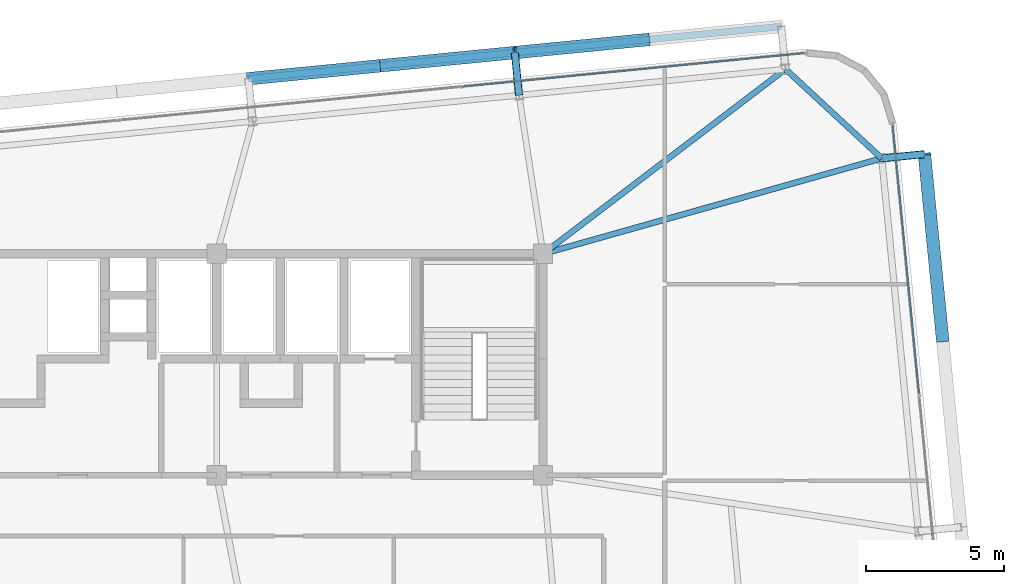
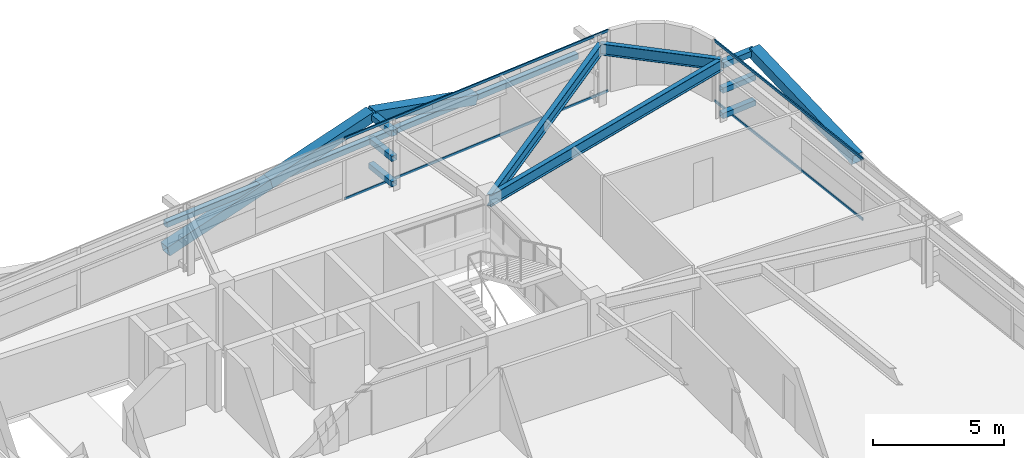
# One storey, part 30 of 47: 16 members, 3 beams, 2 elements without a shape of their own.
"""IFC4 building model written with IfcOpenShell, lengths in metres."""

from ifc_helpers import new_model, si_unit, direction, frame, origin, origin_2d, place, context, subcontext, project, spatial, hollow_rectangle, i_section, extrude, source, transform, mapped, material, layer, layer_set, material_profile, profile_set, type_object, element, aggregate, save


model = new_model("IFC4")

# Units and contexts
model_context = context("Model", 3, precision=1e-05, world=origin(), true_north=direction((0.0, 1.0)))
body_context = subcontext(model_context, "Body", "Model", "MODEL_VIEW")
ifc_project = project(units=[si_unit("LENGTHUNIT", "METRE"), si_unit("AREAUNIT", "SQUARE_METRE"), si_unit("VOLUMEUNIT", "CUBIC_METRE"), si_unit("PLANEANGLEUNIT", "RADIAN"), si_unit("MASSUNIT", "GRAM", prefix="KILO")], contexts=[model_context])

# Site, building, storey
site_placement = place(None, origin())
site = spatial("IfcSite", under=ifc_project, at=site_placement, CompositionType="ELEMENT")
building_placement = place(site_placement, origin())
building = spatial("IfcBuilding", under=site, at=building_placement, Name="Taldren Reach Tower", CompositionType="ELEMENT")
storey_placement = place(building_placement, frame((0.0, 0.0, 109.199951171875)))
storey = spatial("IfcBuildingStorey", under=building, at=storey_placement, Name="L33", CompositionType="ELEMENT", Elevation=109.199951171875)

# Beam
ifc_material_1 = material(Name="Steel Gr 350 (350PLUS)", Category="steel")
ifc_material_profile_1 = material_profile(ifc_material_1, i_section(OverallWidth=0.208984375, OverallDepth=0.528076171875, WebThickness=0.009521484375, FlangeThickness=0.01318359375, at=origin_2d()), Name="530UB82.0")
ifc_profile_set_1 = profile_set([ifc_material_profile_1], Name="Steel Gr 350 (350PLUS)")
beam_type_1 = type_object("IfcBeamType", Name="SP-UB530B", PredefinedType="SPANDREL", material=ifc_profile_set_1)
shared_shape_1 = source(origin(), body_context, "Body", "SweptSolid", [
    extrude(i_section(OverallWidth=0.208984375, OverallDepth=0.528076171875, WebThickness=0.009521484375, FlangeThickness=0.01318359375, at=origin_2d()), origin(), (0.0, 0.0, 1.0), 4.74609375),
])
beam_1_placement = place(storey_placement, frame((63.247314453125, 35.454345703125, 2.60595703125), z_axis=(-0.733547883762, 0.679637772809, 0.0), x_axis=(-0.679637772809, -0.733547883762, 0.0)))
element("IfcBeam", 1, at=beam_1_placement, inside=storey, type_object=beam_type_1, Name="Perimeter spandrel B2 E3-N6 L33", PredefinedType="SPANDREL", context=body_context, shape_type="MappedRepresentation", body=[
    mapped(shared_shape_1, transform((0.0, 0.0, 0.0), scale=1.0)),
])

# Members
ifc_material_2 = material(Name="Steel Gr 450 (C450L0)", Category="steel")
ifc_material_profile_2 = material_profile(ifc_material_2, hollow_rectangle(XDim=0.27490234375, YDim=0.27490234375, WallThickness=0.00927734375, at=origin_2d()), Name="275x275x9.3SHS")
ifc_profile_set_2 = profile_set([ifc_material_profile_2], Name="Steel Gr 450 (C450L0)")
member_type_1 = type_object("IfcMemberType", Name="MB-TIE273", PredefinedType="STRUT", material=ifc_profile_set_2)
shared_shape_2 = source(origin(), body_context, "Body", "SweptSolid", [
    extrude(hollow_rectangle(XDim=0.27490234375, YDim=0.27490234375, WallThickness=0.00927734375, at=origin_2d()), origin(), (0.0, 0.0, 1.0), 1.5498046875),
])
for number, where, z_axis, x_axis, name in (
    (2, (50.132080078125, 37.7353515625, 2.590087890625), (-0.097663201064, 0.995219523099, 0.0), (-0.995219523099, -0.097663201064, 0.0), "Exoskeleton diaphragm tie strut B2-N5 L33"),
    (3, (63.247314453125, 35.454345703125, 2.590087890625), (0.995234821595, 0.097507178627, 0.0), (-0.097507178627, 0.995234821595, 0.0), "Exoskeleton diaphragm tie strut B2-E3 L33"),
):
    element("IfcMember", number, at=place(storey_placement, frame(where, z_axis=z_axis, x_axis=x_axis)), inside=storey, type_object=member_type_1, Name=name, PredefinedType="STRUT", context=body_context, shape_type="MappedRepresentation", body=[
        mapped(shared_shape_2, transform((0.0, 0.0, 0.0), scale=1.0)),
    ])
ifc_material_3 = material(Name="Steel Gr 350 (C350L0)", Category="steel")
ifc_material_profile_3 = material_profile(ifc_material_3, hollow_rectangle(XDim=0.25, YDim=0.25, WallThickness=0.010009765625, at=origin_2d()), Name="250x250x10.0SHS")
ifc_profile_set_3 = profile_set([ifc_material_profile_3], Name="Steel Gr 350 (C350L0)")
member_type_2 = type_object("IfcMemberType", Name="MB-POST250", PredefinedType="POST", material=ifc_profile_set_3)
shared_shape_3 = source(origin(), body_context, "Body", "SweptSolid", [
    extrude(hollow_rectangle(XDim=0.25, YDim=0.25, WallThickness=0.010009765625, at=origin_2d()), origin(), (0.0, 0.0, 1.0), 1.5498046875),
])
for number, where, z_axis, x_axis, name in (
    (4, (50.132080078125, 37.7353515625, 0.219970703125), (-0.097663201064, 0.995219523099, 0.0), (-0.995219523099, -0.097663201064, 0.0), "Exoskeleton base diaphragm tie strut B2-N5 L33"),
    (5, (63.247314453125, 35.454345703125, 0.219970703125), (0.995234821595, 0.097507178627, 0.0), (-0.097507178627, 0.995234821595, 0.0), "Exoskeleton base diaphragm tie strut B2-E3 L33"),
    (6, (50.132080078125, 37.7353515625, 1.405029296875), (-0.097663201064, 0.995219523099, 0.0), (-0.995219523099, -0.097663201064, 0.0), "Exoskeleton mid-tier diaphragm tie B2-N5 L33"),
    (7, (63.247314453125, 35.454345703125, 1.405029296875), (0.995234821595, 0.097507178627, 0.0), (-0.097507178627, 0.995234821595, 0.0), "Exoskeleton mid-tier diaphragm tie B2-E3 L33"),
):
    element("IfcMember", number, at=place(storey_placement, frame(where, z_axis=z_axis, x_axis=x_axis)), inside=storey, type_object=member_type_2, Name=name, PredefinedType="POST", context=body_context, shape_type="MappedRepresentation", body=[
        mapped(shared_shape_3, transform((0.0, 0.0, 0.0), scale=1.0)),
    ])

# Beams
ifc_material_profile_4 = material_profile(ifc_material_1, i_section(OverallWidth=0.208984375, OverallDepth=0.532958984375, WebThickness=0.01025390625, FlangeThickness=0.015625, at=origin_2d()), Name="530UB92.4")
ifc_profile_set_4 = profile_set([ifc_material_profile_4], Name="Steel Gr 350 (350PLUS)")
beam_type_2 = type_object("IfcBeamType", Name="BM-UB530A", PredefinedType="BEAM", material=ifc_profile_set_4)
shared_shape_4 = source(origin(), body_context, "Body", "SweptSolid", [
    extrude(i_section(OverallWidth=0.208984375, OverallDepth=0.532958984375, WebThickness=0.01025390625, FlangeThickness=0.015625, at=origin_2d()), origin(), (0.0, 0.0, 1.0), 12.72509765625),
])
beam_2_placement = place(storey_placement, frame((51.0, 32.0, 2.603515625), z_axis=(0.962450190096, 0.271458342264, 0.0), x_axis=(-0.271458342264, 0.962450190096, 0.0)))
element("IfcBeam", 8, at=beam_2_placement, inside=storey, type_object=beam_type_2, Name="Primary floor girder B2-E3 L33", PredefinedType="BEAM", context=body_context, shape_type="MappedRepresentation", body=[
    mapped(shared_shape_4, transform((0.0, 0.0, 0.0), scale=1.0)),
])
shared_shape_5 = source(origin(), body_context, "Body", "SweptSolid", [
    extrude(i_section(OverallWidth=0.208984375, OverallDepth=0.532958984375, WebThickness=0.01025390625, FlangeThickness=0.015625, at=origin_2d()), origin(), (0.0, 0.0, 1.0), 11.02099609375),
])
beam_3_placement = place(storey_placement, frame((51.0, 32.0, 2.603515625), z_axis=(0.795380356763, 0.606110623629, 0.0), x_axis=(-0.606110623629, 0.795380356763, 0.0)))
element("IfcBeam", 9, at=beam_3_placement, inside=storey, type_object=beam_type_2, Name="Primary floor girder B2-N6 L33", PredefinedType="BEAM", context=body_context, shape_type="MappedRepresentation", body=[
    mapped(shared_shape_5, transform((0.0, 0.0, 0.0), scale=1.0)),
])

# Members
shared_shape_6 = source(origin(), body_context, "Body", "SweptSolid", [
    extrude(hollow_rectangle(XDim=0.25, YDim=0.25, WallThickness=0.010009765625, at=origin_2d()), origin(), (0.0, 0.0, 1.0), 9.679931640625),
])
for number, where, z_axis, x_axis, name in (
    (10, (40.346923828125, 38.333251953125, 1.405029296875), (0.995227612658, 0.097580730699, 0.0), (-0.097580730699, 0.995227612658, 0.0), "Exoskeleton mid-height ring chord B2-N4 L33"),
    (11, (49.980712890625, 39.27783203125, 1.405029296875), (0.995227612658, 0.097580730699, 0.0), (-0.097580730699, 0.995227612658, 0.0), "Exoskeleton mid-height ring chord B2-N5 L33"),
):
    element("IfcMember", number, at=place(storey_placement, frame(where, z_axis=z_axis, x_axis=x_axis)), inside=storey, type_object=member_type_2, Name=name, PredefinedType="POST", context=body_context, shape_type="MappedRepresentation", body=[
        mapped(shared_shape_6, transform((0.0, 0.0, 0.0), scale=1.0)),
    ])
ifc_material_profile_5 = material_profile(ifc_material_2, hollow_rectangle(XDim=0.4599609375, YDim=0.4599609375, WallThickness=0.01611328125, at=origin_2d()), Name="460x460x16.0SHS")
ifc_profile_set_5 = profile_set([ifc_material_profile_5], Name="Steel Gr 450 (C450L0)")
member_type_3 = type_object("IfcMemberType", Name="MB-EXO457", PredefinedType="BRACE", material=ifc_profile_set_5)
shared_shape_7 = source(origin(), body_context, "Body", "SweptSolid", [
    extrude(hollow_rectangle(XDim=0.4599609375, YDim=0.4599609375, WallThickness=0.01611328125, at=origin_2d()), origin(), (0.0, 0.0, 1.0), 4.98291015625),
])
for number, where, z_axis, x_axis, name in (
    (12, (40.346923828125, 38.333251953125, 0.219970703125), (0.966671000152, 0.094805290689, 0.23782164393), (-0.097605711627, 0.995225162995, 0.0), "Exoskeleton Diagrid Brace B2-N4 L33"),
    (13, (45.163818359375, 38.8056640625, 1.405029296875), (0.966675489194, 0.094756735738, 0.23782274833), (-0.097555749586, 0.995230061706, 0.0), "Exoskeleton Diagrid Brace B2-N4 L33"),
    (14, (54.797607421875, 39.750244140625, 1.405029296875), (-0.966671000152, -0.094805290689, 0.23782164393), (0.097605711627, -0.995225162995, 0.0), "Exoskeleton Diagrid Brace B2-N5 L33"),
):
    element("IfcMember", number, at=place(storey_placement, frame(where, z_axis=z_axis, x_axis=x_axis)), inside=storey, type_object=member_type_3, Name=name, PredefinedType="BRACE", context=body_context, shape_type="MappedRepresentation", body=[
        mapped(shared_shape_7, transform((0.0, 0.0, 0.0), scale=1.0)),
    ])
shared_shape_8 = source(origin(), body_context, "Body", "SweptSolid", [
    extrude(hollow_rectangle(XDim=0.4599609375, YDim=0.4599609375, WallThickness=0.01611328125, at=origin_2d()), origin(), (0.0, 0.0, 1.0), 6.8779296875),
])
member_1_placement = place(storey_placement, frame((65.450927734375, 28.86279296875, 1.405029296875), z_axis=(-0.096124602974, 0.980343162824, 0.172300156143), x_axis=(-0.995227290009, -0.097584021339, 0.0)))
element("IfcMember", 15, at=member_1_placement, inside=storey, type_object=member_type_3, Name="Exoskeleton Diagrid Brace B2-E2 L33", PredefinedType="BRACE", context=body_context, shape_type="MappedRepresentation", body=[
    mapped(shared_shape_8, transform((0.0, 0.0, 0.0), scale=1.0)),
])

# Curtain wall, members
ifc_material_4 = material(Name="Aluminium and Low-E Glass Unitised System", Category="aluminium")
ifc_layer = layer(ifc_material_4, 0.159912109375)
ifc_layer_set = layer_set([ifc_layer], Name="Aluminium and Low-E Glass Unitised System")
curtain_wall_type = type_object("IfcCurtainWallType", Name="CW-SYS-3", PredefinedType="NOTDEFINED", material=ifc_layer_set)
curtain_wall_1_placement = place(storey_placement, origin())
curtain_wall_1 = element("IfcCurtainWall", 16, at=curtain_wall_1_placement, inside=storey, type_object=curtain_wall_type, Name="Unitised curtain wall CW-L33-N", PredefinedType="NOTDEFINED")
ifc_material_5 = material(Name="Anodised Aluminium 6063-T6", Category="aluminium")
ifc_material_profile_6 = material_profile(ifc_material_5, hollow_rectangle(XDim=0.054931640625, YDim=0.1201171875, WallThickness=0.0029296875, at=origin_2d()), Name="ALU-120x55x3RHS")
ifc_profile_set_6 = profile_set([ifc_material_profile_6], Name="Anodised Aluminium 6063-T6")
member_type_4 = type_object("IfcMemberType", Name="CW-TRN-135", PredefinedType="USERDEFINED", material=ifc_profile_set_6)
shared_shape_9 = source(origin(), body_context, "Body", "SweptSolid", [
    extrude(hollow_rectangle(XDim=0.054931640625, YDim=0.1201171875, WallThickness=0.0029296875, at=origin_2d()), origin(), (0.0, 0.0, 1.0), 12.402587890625),
])
member_2_placement = place(storey_placement, frame((60.447509765625, 39.25927734375, 0.027587890625), z_axis=(-0.995225976096, -0.097597420576, 0.0), x_axis=(0.097597420576, -0.995225976096, 0.0)))
member_2 = element("IfcMember", 17, at=member_2_placement, type_object=member_type_4, Name="CW-3 transom 1.1", ObjectType="TRANSOM", PredefinedType="USERDEFINED", context=body_context, shape_type="MappedRepresentation", body=[
    mapped(shared_shape_9, transform((0.0, 0.0, 0.0), scale=1.0)),
])
member_3_placement = place(storey_placement, frame((60.447509765625, 39.25927734375, 2.842529296875), z_axis=(-0.995225976096, -0.097597420576, 0.0), x_axis=(0.097597420576, -0.995225976096, 0.0)))
member_3 = element("IfcMember", 18, at=member_3_placement, type_object=member_type_4, Name="CW-3 transom 1.2", ObjectType="TRANSOM", PredefinedType="USERDEFINED", context=body_context, shape_type="MappedRepresentation", body=[
    mapped(shared_shape_9, transform((0.0, 0.0, 0.0), scale=1.0)),
])
aggregate(curtain_wall_1, [member_2, member_3])

curtain_wall_2_placement = place(storey_placement, origin())
curtain_wall_2 = element("IfcCurtainWall", 19, at=curtain_wall_2_placement, inside=storey, type_object=curtain_wall_type, Name="Unitised curtain wall CW-L33-E", PredefinedType="NOTDEFINED")
shared_shape_10 = source(origin(), body_context, "Body", "SweptSolid", [
    extrude(hollow_rectangle(XDim=0.054931640625, YDim=0.1201171875, WallThickness=0.0029296875, at=origin_2d()), origin(), (0.0, 0.0, 1.0), 9.73583984375),
])
member_4_placement = place(storey_placement, frame((64.593994140625, 26.944091796875, 0.027587890625), z_axis=(-0.097571911043, 0.995228477374, 0.0), x_axis=(-0.995228477374, -0.097571911043, 0.0)))
member_4 = element("IfcMember", 20, at=member_4_placement, type_object=member_type_4, Name="CW-3 transom 3.1", ObjectType="TRANSOM", PredefinedType="USERDEFINED", context=body_context, shape_type="MappedRepresentation", body=[
    mapped(shared_shape_10, transform((0.0, 0.0, 0.0), scale=1.0)),
])
member_5_placement = place(storey_placement, frame((64.593994140625, 26.944091796875, 2.842529296875), z_axis=(-0.097571911043, 0.995228477374, 0.0), x_axis=(-0.995228477374, -0.097571911043, 0.0)))
member_5 = element("IfcMember", 21, at=member_5_placement, type_object=member_type_4, Name="CW-3 transom 3.2", ObjectType="TRANSOM", PredefinedType="USERDEFINED", context=body_context, shape_type="MappedRepresentation", body=[
    mapped(shared_shape_10, transform((0.0, 0.0, 0.0), scale=1.0)),
])
aggregate(curtain_wall_2, [member_4, member_5])

save(model, "model.ifc")
